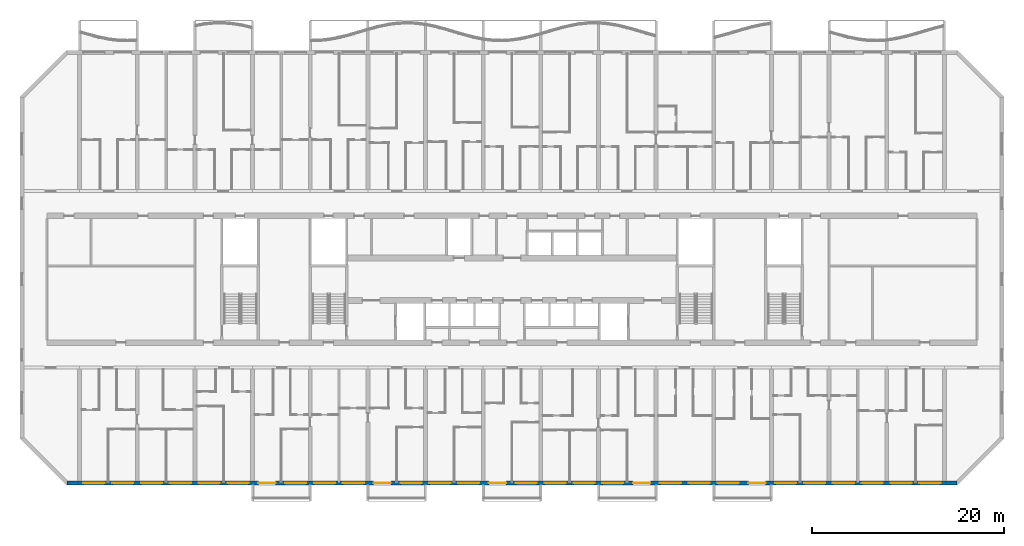
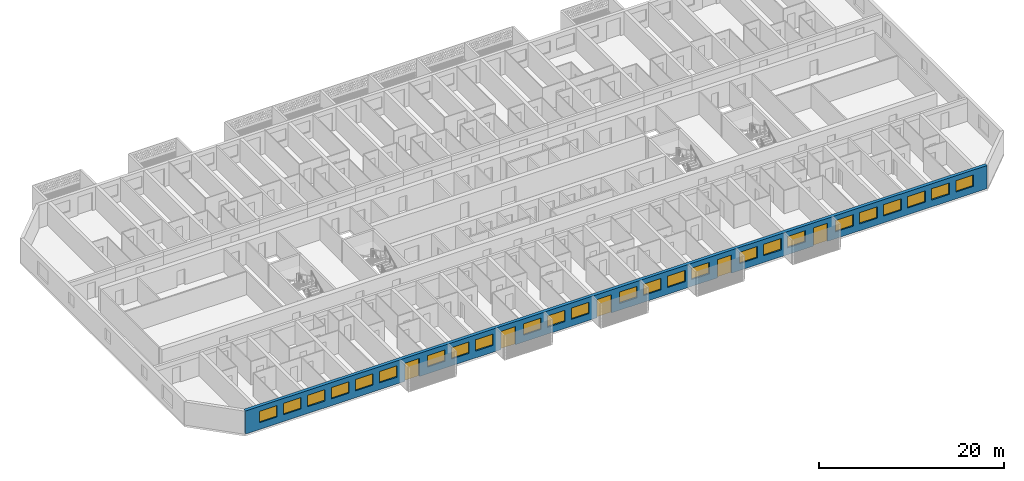
# One storey, part 6 of 44: 25 windows, 5 doors, 1 wall, 30 openings.
"""IFC4 building model written with IfcOpenShell, lengths in metres."""

from ifc_helpers import new_model, si_unit, direction, frame, frame_2d, origin, place, context, subcontext, project, spatial, rectangle, extrude, material, layer, layer_set, type_object, element, fill, save


model = new_model("IFC4")

# Units and contexts
model_context = context("Model", 3, precision=1e-05, world=origin(), true_north=direction((0.0, 1.0)))
body_context = subcontext(model_context, "Body", "Model", "MODEL_VIEW")
ifc_project = project(units=[si_unit("LENGTHUNIT", "METRE"), si_unit("AREAUNIT", "SQUARE_METRE"), si_unit("VOLUMEUNIT", "CUBIC_METRE"), si_unit("PLANEANGLEUNIT", "RADIAN"), si_unit("MASSUNIT", "GRAM", prefix="KILO")], contexts=[model_context])

# Site, building, storey
site_placement = place(None, origin())
site = spatial("IfcSite", under=ifc_project, at=site_placement, CompositionType="ELEMENT")
building_placement = place(site_placement, origin())
building = spatial("IfcBuilding", under=site, at=building_placement, Name="Poui Terraces", CompositionType="ELEMENT")
storey_placement = place(building_placement, frame((0.0, 0.0, 26.699951171875)))
storey = spatial("IfcBuildingStorey", under=building, at=storey_placement, Name="L06", CompositionType="ELEMENT", Elevation=26.699951171875)

# Wall, openings, doors, windows
ifc_material_1 = material(Name="Precast concrete 40 MPa", Category="concrete")
ifc_layer = layer(ifc_material_1, 0.39990234375)
ifc_layer_set = layer_set([ifc_layer], Name="Precast concrete 40 MPa")
wall_type = type_object("IfcWallType", Name="EXTERNAL WALL 400", PredefinedType="STANDARD", material=ifc_layer_set)
wall_placement = place(storey_placement, frame((4.682861328125, 0.0, 0.0), z_axis=(0.0, 0.0, 1.0), x_axis=(1.0, 0.0, 0.0)))
wall = element("IfcWall", 1, at=wall_placement, inside=storey, type_object=wall_type, Name="EXTERNAL WALL S", PredefinedType="STANDARD", context=body_context, shape_type="SweptSolid", body=[
    extrude(rectangle(XDim=92.63427734375, YDim=0.39990234375, at=frame_2d((46.317138671875, 0.0))), origin(), (0.0, 0.0, 1.0), 3.050048828125),
])
opening_1_placement = place(wall_placement, frame((1.71728515625, 0.0, 0.89990234375)))
opening_1 = element("IfcOpeningElement", 2, at=opening_1_placement, cuts=wall, Name="Opening W1", PredefinedType="OPENING", context=body_context, shape_type="SweptSolid", body=[
    extrude(rectangle(XDim=2.199951171875, YDim=1.5, at=frame_2d((1.10009765625, 0.75))), frame((0.0, 0.2099609375, 0.0), z_axis=(0.0, -1.0, 0.0), x_axis=(1.0, 0.0, 0.0)), (0.0, 0.0, 1.0), 0.419921875),
])
opening_2_placement = place(wall_placement, frame((4.71728515625, 0.0, 0.89990234375)))
opening_2 = element("IfcOpeningElement", 3, at=opening_2_placement, cuts=wall, Name="Opening W1", PredefinedType="OPENING", context=body_context, shape_type="SweptSolid", body=[
    extrude(rectangle(XDim=2.199951171875, YDim=1.5, at=frame_2d((1.10009765625, 0.75))), frame((0.0, 0.2099609375, 0.0), z_axis=(0.0, -1.0, 0.0), x_axis=(1.0, 0.0, 0.0)), (0.0, 0.0, 1.0), 0.419921875),
])
opening_3_placement = place(wall_placement, frame((7.71728515625, 0.0, 0.89990234375)))
opening_3 = element("IfcOpeningElement", 4, at=opening_3_placement, cuts=wall, Name="Opening W1", PredefinedType="OPENING", context=body_context, shape_type="SweptSolid", body=[
    extrude(rectangle(XDim=2.199951171875, YDim=1.5, at=frame_2d((1.10009765625, 0.75))), frame((0.0, 0.2099609375, 0.0), z_axis=(0.0, -1.0, 0.0), x_axis=(1.0, 0.0, 0.0)), (0.0, 0.0, 1.0), 0.419921875),
])
opening_4_placement = place(wall_placement, frame((10.71728515625, 0.0, 0.89990234375)))
opening_4 = element("IfcOpeningElement", 5, at=opening_4_placement, cuts=wall, Name="Opening W1", PredefinedType="OPENING", context=body_context, shape_type="SweptSolid", body=[
    extrude(rectangle(XDim=2.199951171875, YDim=1.5, at=frame_2d((1.10009765625, 0.75))), frame((0.0, 0.2099609375, 0.0), z_axis=(0.0, -1.0, 0.0), x_axis=(1.0, 0.0, 0.0)), (0.0, 0.0, 1.0), 0.419921875),
])
opening_5_placement = place(wall_placement, frame((13.71728515625, 0.0, 0.89990234375)))
opening_5 = element("IfcOpeningElement", 6, at=opening_5_placement, cuts=wall, Name="Opening W1", PredefinedType="OPENING", context=body_context, shape_type="SweptSolid", body=[
    extrude(rectangle(XDim=2.199951171875, YDim=1.5, at=frame_2d((1.10009765625, 0.75))), frame((0.0, 0.2099609375, 0.0), z_axis=(0.0, -1.0, 0.0), x_axis=(1.0, 0.0, 0.0)), (0.0, 0.0, 1.0), 0.419921875),
])
opening_6_placement = place(wall_placement, frame((16.71728515625, 0.0, 0.89990234375)))
opening_6 = element("IfcOpeningElement", 7, at=opening_6_placement, cuts=wall, Name="Opening W1", PredefinedType="OPENING", context=body_context, shape_type="SweptSolid", body=[
    extrude(rectangle(XDim=2.199951171875, YDim=1.5, at=frame_2d((1.10009765625, 0.75))), frame((0.0, 0.2099609375, 0.0), z_axis=(0.0, -1.0, 0.0), x_axis=(1.0, 0.0, 0.0)), (0.0, 0.0, 1.0), 0.419921875),
])
opening_7_placement = place(wall_placement, frame((19.917236328125, 0.0, 0.0)))
opening_7 = element("IfcOpeningElement", 8, at=opening_7_placement, cuts=wall, Name="Opening BD1", PredefinedType="OPENING", context=body_context, shape_type="SweptSolid", body=[
    extrude(rectangle(XDim=1.800048828125, YDim=2.39990234375, at=frame_2d((0.89990234375, 1.199951171875))), frame((0.0, 0.2099609375, 0.0), z_axis=(0.0, -1.0, 0.0), x_axis=(1.0, 0.0, 0.0)), (0.0, 0.0, 1.0), 0.419921875),
])
opening_8_placement = place(wall_placement, frame((22.71728515625, 0.0, 0.89990234375)))
opening_8 = element("IfcOpeningElement", 9, at=opening_8_placement, cuts=wall, Name="Opening W1", PredefinedType="OPENING", context=body_context, shape_type="SweptSolid", body=[
    extrude(rectangle(XDim=2.199951171875, YDim=1.5, at=frame_2d((1.10009765625, 0.75))), frame((0.0, 0.2099609375, 0.0), z_axis=(0.0, -1.0, 0.0), x_axis=(1.0, 0.0, 0.0)), (0.0, 0.0, 1.0), 0.419921875),
])
opening_9_placement = place(wall_placement, frame((25.71728515625, 0.0, 0.89990234375)))
opening_9 = element("IfcOpeningElement", 10, at=opening_9_placement, cuts=wall, Name="Opening W1", PredefinedType="OPENING", context=body_context, shape_type="SweptSolid", body=[
    extrude(rectangle(XDim=2.199951171875, YDim=1.5, at=frame_2d((1.10009765625, 0.75))), frame((0.0, 0.2099609375, 0.0), z_axis=(0.0, -1.0, 0.0), x_axis=(1.0, 0.0, 0.0)), (0.0, 0.0, 1.0), 0.419921875),
])
opening_10_placement = place(wall_placement, frame((28.71728515625, 0.0, 0.89990234375)))
opening_10 = element("IfcOpeningElement", 11, at=opening_10_placement, cuts=wall, Name="Opening W1", PredefinedType="OPENING", context=body_context, shape_type="SweptSolid", body=[
    extrude(rectangle(XDim=2.199951171875, YDim=1.5, at=frame_2d((1.10009765625, 0.75))), frame((0.0, 0.2099609375, 0.0), z_axis=(0.0, -1.0, 0.0), x_axis=(1.0, 0.0, 0.0)), (0.0, 0.0, 1.0), 0.419921875),
])
opening_11_placement = place(wall_placement, frame((31.917236328125, 0.0, 0.0)))
opening_11 = element("IfcOpeningElement", 12, at=opening_11_placement, cuts=wall, Name="Opening BD1", PredefinedType="OPENING", context=body_context, shape_type="SweptSolid", body=[
    extrude(rectangle(XDim=1.800048828125, YDim=2.39990234375, at=frame_2d((0.89990234375, 1.199951171875))), frame((0.0, 0.2099609375, 0.0), z_axis=(0.0, -1.0, 0.0), x_axis=(1.0, 0.0, 0.0)), (0.0, 0.0, 1.0), 0.419921875),
])
opening_12_placement = place(wall_placement, frame((34.71728515625, 0.0, 0.89990234375)))
opening_12 = element("IfcOpeningElement", 13, at=opening_12_placement, cuts=wall, Name="Opening W1", PredefinedType="OPENING", context=body_context, shape_type="SweptSolid", body=[
    extrude(rectangle(XDim=2.199951171875, YDim=1.5, at=frame_2d((1.10009765625, 0.75))), frame((0.0, 0.2099609375, 0.0), z_axis=(0.0, -1.0, 0.0), x_axis=(1.0, 0.0, 0.0)), (0.0, 0.0, 1.0), 0.419921875),
])
opening_13_placement = place(wall_placement, frame((37.71728515625, 0.0, 0.89990234375)))
opening_13 = element("IfcOpeningElement", 14, at=opening_13_placement, cuts=wall, Name="Opening W1", PredefinedType="OPENING", context=body_context, shape_type="SweptSolid", body=[
    extrude(rectangle(XDim=2.199951171875, YDim=1.5, at=frame_2d((1.10009765625, 0.75))), frame((0.0, 0.2099609375, 0.0), z_axis=(0.0, -1.0, 0.0), x_axis=(1.0, 0.0, 0.0)), (0.0, 0.0, 1.0), 0.419921875),
])
opening_14_placement = place(wall_placement, frame((40.71728515625, 0.0, 0.89990234375)))
opening_14 = element("IfcOpeningElement", 15, at=opening_14_placement, cuts=wall, Name="Opening W1", PredefinedType="OPENING", context=body_context, shape_type="SweptSolid", body=[
    extrude(rectangle(XDim=2.199951171875, YDim=1.5, at=frame_2d((1.10009765625, 0.75))), frame((0.0, 0.2099609375, 0.0), z_axis=(0.0, -1.0, 0.0), x_axis=(1.0, 0.0, 0.0)), (0.0, 0.0, 1.0), 0.419921875),
])
opening_15_placement = place(wall_placement, frame((43.917236328125, 0.0, 0.0)))
opening_15 = element("IfcOpeningElement", 16, at=opening_15_placement, cuts=wall, Name="Opening BD1", PredefinedType="OPENING", context=body_context, shape_type="SweptSolid", body=[
    extrude(rectangle(XDim=1.800048828125, YDim=2.39990234375, at=frame_2d((0.89990234375, 1.199951171875))), frame((0.0, 0.2099609375, 0.0), z_axis=(0.0, -1.0, 0.0), x_axis=(1.0, 0.0, 0.0)), (0.0, 0.0, 1.0), 0.419921875),
])
opening_16_placement = place(wall_placement, frame((46.71728515625, 0.0, 0.89990234375)))
opening_16 = element("IfcOpeningElement", 17, at=opening_16_placement, cuts=wall, Name="Opening W1", PredefinedType="OPENING", context=body_context, shape_type="SweptSolid", body=[
    extrude(rectangle(XDim=2.199951171875, YDim=1.5, at=frame_2d((1.10009765625, 0.75))), frame((0.0, 0.2099609375, 0.0), z_axis=(0.0, -1.0, 0.0), x_axis=(1.0, 0.0, 0.0)), (0.0, 0.0, 1.0), 0.419921875),
])
opening_17_placement = place(wall_placement, frame((49.71728515625, 0.0, 0.89990234375)))
opening_17 = element("IfcOpeningElement", 18, at=opening_17_placement, cuts=wall, Name="Opening W1", PredefinedType="OPENING", context=body_context, shape_type="SweptSolid", body=[
    extrude(rectangle(XDim=2.199951171875, YDim=1.5, at=frame_2d((1.10009765625, 0.75))), frame((0.0, 0.2099609375, 0.0), z_axis=(0.0, -1.0, 0.0), x_axis=(1.0, 0.0, 0.0)), (0.0, 0.0, 1.0), 0.419921875),
])
opening_18_placement = place(wall_placement, frame((52.71728515625, 0.0, 0.89990234375)))
opening_18 = element("IfcOpeningElement", 19, at=opening_18_placement, cuts=wall, Name="Opening W1", PredefinedType="OPENING", context=body_context, shape_type="SweptSolid", body=[
    extrude(rectangle(XDim=2.199951171875, YDim=1.5, at=frame_2d((1.10009765625, 0.75))), frame((0.0, 0.2099609375, 0.0), z_axis=(0.0, -1.0, 0.0), x_axis=(1.0, 0.0, 0.0)), (0.0, 0.0, 1.0), 0.419921875),
])
opening_19_placement = place(wall_placement, frame((55.71728515625, 0.0, 0.89990234375)))
opening_19 = element("IfcOpeningElement", 20, at=opening_19_placement, cuts=wall, Name="Opening W1", PredefinedType="OPENING", context=body_context, shape_type="SweptSolid", body=[
    extrude(rectangle(XDim=2.199951171875, YDim=1.5, at=frame_2d((1.10009765625, 0.75))), frame((0.0, 0.2099609375, 0.0), z_axis=(0.0, -1.0, 0.0), x_axis=(1.0, 0.0, 0.0)), (0.0, 0.0, 1.0), 0.419921875),
])
opening_20_placement = place(wall_placement, frame((58.917236328125, 0.0, 0.0)))
opening_20 = element("IfcOpeningElement", 21, at=opening_20_placement, cuts=wall, Name="Opening BD1", PredefinedType="OPENING", context=body_context, shape_type="SweptSolid", body=[
    extrude(rectangle(XDim=1.800048828125, YDim=2.39990234375, at=frame_2d((0.89990234375, 1.199951171875))), frame((0.0, 0.2099609375, 0.0), z_axis=(0.0, -1.0, 0.0), x_axis=(1.0, 0.0, 0.0)), (0.0, 0.0, 1.0), 0.419921875),
])
opening_21_placement = place(wall_placement, frame((61.71728515625, 0.0, 0.89990234375)))
opening_21 = element("IfcOpeningElement", 22, at=opening_21_placement, cuts=wall, Name="Opening W1", PredefinedType="OPENING", context=body_context, shape_type="SweptSolid", body=[
    extrude(rectangle(XDim=2.199951171875, YDim=1.5, at=frame_2d((1.10009765625, 0.75))), frame((0.0, 0.2099609375, 0.0), z_axis=(0.0, -1.0, 0.0), x_axis=(1.0, 0.0, 0.0)), (0.0, 0.0, 1.0), 0.419921875),
])
opening_22_placement = place(wall_placement, frame((64.71728515625, 0.0, 0.89990234375)))
opening_22 = element("IfcOpeningElement", 23, at=opening_22_placement, cuts=wall, Name="Opening W1", PredefinedType="OPENING", context=body_context, shape_type="SweptSolid", body=[
    extrude(rectangle(XDim=2.199951171875, YDim=1.5, at=frame_2d((1.10009765625, 0.75))), frame((0.0, 0.2099609375, 0.0), z_axis=(0.0, -1.0, 0.0), x_axis=(1.0, 0.0, 0.0)), (0.0, 0.0, 1.0), 0.419921875),
])
opening_23_placement = place(wall_placement, frame((67.71728515625, 0.0, 0.89990234375)))
opening_23 = element("IfcOpeningElement", 24, at=opening_23_placement, cuts=wall, Name="Opening W1", PredefinedType="OPENING", context=body_context, shape_type="SweptSolid", body=[
    extrude(rectangle(XDim=2.199951171875, YDim=1.5, at=frame_2d((1.10009765625, 0.75))), frame((0.0, 0.2099609375, 0.0), z_axis=(0.0, -1.0, 0.0), x_axis=(1.0, 0.0, 0.0)), (0.0, 0.0, 1.0), 0.419921875),
])
opening_24_placement = place(wall_placement, frame((70.917236328125, 0.0, 0.0)))
opening_24 = element("IfcOpeningElement", 25, at=opening_24_placement, cuts=wall, Name="Opening BD1", PredefinedType="OPENING", context=body_context, shape_type="SweptSolid", body=[
    extrude(rectangle(XDim=1.800048828125, YDim=2.39990234375, at=frame_2d((0.89990234375, 1.199951171875))), frame((0.0, 0.2099609375, 0.0), z_axis=(0.0, -1.0, 0.0), x_axis=(1.0, 0.0, 0.0)), (0.0, 0.0, 1.0), 0.419921875),
])
opening_25_placement = place(wall_placement, frame((73.71728515625, 0.0, 0.89990234375)))
opening_25 = element("IfcOpeningElement", 26, at=opening_25_placement, cuts=wall, Name="Opening W1", PredefinedType="OPENING", context=body_context, shape_type="SweptSolid", body=[
    extrude(rectangle(XDim=2.199951171875, YDim=1.5, at=frame_2d((1.10009765625, 0.75))), frame((0.0, 0.2099609375, 0.0), z_axis=(0.0, -1.0, 0.0), x_axis=(1.0, 0.0, 0.0)), (0.0, 0.0, 1.0), 0.419921875),
])
opening_26_placement = place(wall_placement, frame((76.71728515625, 0.0, 0.89990234375)))
opening_26 = element("IfcOpeningElement", 27, at=opening_26_placement, cuts=wall, Name="Opening W1", PredefinedType="OPENING", context=body_context, shape_type="SweptSolid", body=[
    extrude(rectangle(XDim=2.199951171875, YDim=1.5, at=frame_2d((1.10009765625, 0.75))), frame((0.0, 0.2099609375, 0.0), z_axis=(0.0, -1.0, 0.0), x_axis=(1.0, 0.0, 0.0)), (0.0, 0.0, 1.0), 0.419921875),
])
opening_27_placement = place(wall_placement, frame((79.71728515625, 0.0, 0.89990234375)))
opening_27 = element("IfcOpeningElement", 28, at=opening_27_placement, cuts=wall, Name="Opening W1", PredefinedType="OPENING", context=body_context, shape_type="SweptSolid", body=[
    extrude(rectangle(XDim=2.199951171875, YDim=1.5, at=frame_2d((1.10009765625, 0.75))), frame((0.0, 0.2099609375, 0.0), z_axis=(0.0, -1.0, 0.0), x_axis=(1.0, 0.0, 0.0)), (0.0, 0.0, 1.0), 0.419921875),
])
opening_28_placement = place(wall_placement, frame((82.71728515625, 0.0, 0.89990234375)))
opening_28 = element("IfcOpeningElement", 29, at=opening_28_placement, cuts=wall, Name="Opening W1", PredefinedType="OPENING", context=body_context, shape_type="SweptSolid", body=[
    extrude(rectangle(XDim=2.199951171875, YDim=1.5, at=frame_2d((1.10009765625, 0.75))), frame((0.0, 0.2099609375, 0.0), z_axis=(0.0, -1.0, 0.0), x_axis=(1.0, 0.0, 0.0)), (0.0, 0.0, 1.0), 0.419921875),
])
opening_29_placement = place(wall_placement, frame((85.71728515625, 0.0, 0.89990234375)))
opening_29 = element("IfcOpeningElement", 30, at=opening_29_placement, cuts=wall, Name="Opening W1", PredefinedType="OPENING", context=body_context, shape_type="SweptSolid", body=[
    extrude(rectangle(XDim=2.199951171875, YDim=1.5, at=frame_2d((1.10009765625, 0.75))), frame((0.0, 0.2099609375, 0.0), z_axis=(0.0, -1.0, 0.0), x_axis=(1.0, 0.0, 0.0)), (0.0, 0.0, 1.0), 0.419921875),
])
opening_30_placement = place(wall_placement, frame((88.71728515625, 0.0, 0.89990234375)))
opening_30 = element("IfcOpeningElement", 31, at=opening_30_placement, cuts=wall, Name="Opening W1", PredefinedType="OPENING", context=body_context, shape_type="SweptSolid", body=[
    extrude(rectangle(XDim=2.199951171875, YDim=1.5, at=frame_2d((1.10009765625, 0.75))), frame((0.0, 0.2099609375, 0.0), z_axis=(0.0, -1.0, 0.0), x_axis=(1.0, 0.0, 0.0)), (0.0, 0.0, 1.0), 0.419921875),
])
ifc_material_2 = material(Name="Clear glass in aluminium frame", Category="aluminium")
door_type = type_object("IfcDoorType", Name="BALCONY DOOR 1800X2400", OperationType="DOUBLE_DOOR_SLIDING", PredefinedType="DOOR", material=ifc_material_2)
door_1_placement = place(opening_7_placement, origin())
door_1 = element("IfcDoor", 32, at=door_1_placement, inside=storey, type_object=door_type, Name="BD1 BALCONY DOOR", OperationType="DOUBLE_DOOR_SLIDING", OverallHeight=2.39990234375, OverallWidth=1.800048828125, PredefinedType="DOOR", context=body_context, shape_type="SweptSolid", body=[
    extrude(rectangle(XDim=1.800048828125, YDim=2.39990234375, at=frame_2d((0.89990234375, 1.199951171875))), frame((0.0, 0.02490234375, 0.0), z_axis=(0.0, -1.0, 0.0), x_axis=(1.0, 0.0, 0.0)), (0.0, 0.0, 1.0), 0.050048828125),
])
fill(opening_7, door_1)
door_2_placement = place(opening_11_placement, origin())
door_2 = element("IfcDoor", 33, at=door_2_placement, inside=storey, type_object=door_type, Name="BD1 BALCONY DOOR", OperationType="DOUBLE_DOOR_SLIDING", OverallHeight=2.39990234375, OverallWidth=1.800048828125, PredefinedType="DOOR", context=body_context, shape_type="SweptSolid", body=[
    extrude(rectangle(XDim=1.800048828125, YDim=2.39990234375, at=frame_2d((0.89990234375, 1.199951171875))), frame((0.0, 0.02490234375, 0.0), z_axis=(0.0, -1.0, 0.0), x_axis=(1.0, 0.0, 0.0)), (0.0, 0.0, 1.0), 0.050048828125),
])
fill(opening_11, door_2)
door_3_placement = place(opening_15_placement, origin())
door_3 = element("IfcDoor", 34, at=door_3_placement, inside=storey, type_object=door_type, Name="BD1 BALCONY DOOR", OperationType="DOUBLE_DOOR_SLIDING", OverallHeight=2.39990234375, OverallWidth=1.800048828125, PredefinedType="DOOR", context=body_context, shape_type="SweptSolid", body=[
    extrude(rectangle(XDim=1.800048828125, YDim=2.39990234375, at=frame_2d((0.89990234375, 1.199951171875))), frame((0.0, 0.02490234375, 0.0), z_axis=(0.0, -1.0, 0.0), x_axis=(1.0, 0.0, 0.0)), (0.0, 0.0, 1.0), 0.050048828125),
])
fill(opening_15, door_3)
door_4_placement = place(opening_20_placement, origin())
door_4 = element("IfcDoor", 35, at=door_4_placement, inside=storey, type_object=door_type, Name="BD1 BALCONY DOOR", OperationType="DOUBLE_DOOR_SLIDING", OverallHeight=2.39990234375, OverallWidth=1.800048828125, PredefinedType="DOOR", context=body_context, shape_type="SweptSolid", body=[
    extrude(rectangle(XDim=1.800048828125, YDim=2.39990234375, at=frame_2d((0.89990234375, 1.199951171875))), frame((0.0, 0.02490234375, 0.0), z_axis=(0.0, -1.0, 0.0), x_axis=(1.0, 0.0, 0.0)), (0.0, 0.0, 1.0), 0.050048828125),
])
fill(opening_20, door_4)
door_5_placement = place(opening_24_placement, origin())
door_5 = element("IfcDoor", 36, at=door_5_placement, inside=storey, type_object=door_type, Name="BD1 BALCONY DOOR", OperationType="DOUBLE_DOOR_SLIDING", OverallHeight=2.39990234375, OverallWidth=1.800048828125, PredefinedType="DOOR", context=body_context, shape_type="SweptSolid", body=[
    extrude(rectangle(XDim=1.800048828125, YDim=2.39990234375, at=frame_2d((0.89990234375, 1.199951171875))), frame((0.0, 0.02490234375, 0.0), z_axis=(0.0, -1.0, 0.0), x_axis=(1.0, 0.0, 0.0)), (0.0, 0.0, 1.0), 0.050048828125),
])
fill(opening_24, door_5)
window_type = type_object("IfcWindowType", Name="WINDOW 2200X1500", PartitioningType="DOUBLE_PANEL_HORIZONTAL", PredefinedType="WINDOW", material=ifc_material_2)
window_1_placement = place(opening_1_placement, origin())
window_1 = element("IfcWindow", 37, at=window_1_placement, inside=storey, type_object=window_type, Name="W1 WINDOW", OverallHeight=1.5, OverallWidth=2.199951171875, PartitioningType="DOUBLE_PANEL_HORIZONTAL", PredefinedType="WINDOW", context=body_context, shape_type="SweptSolid", body=[
    extrude(rectangle(XDim=2.199951171875, YDim=1.5, at=frame_2d((1.10009765625, 0.75))), frame((0.0, 0.030029296875, 0.0), z_axis=(0.0, -1.0, 0.0), x_axis=(1.0, 0.0, 0.0)), (0.0, 0.0, 1.0), 0.06005859375),
])
fill(opening_1, window_1)
window_2_placement = place(opening_2_placement, origin())
window_2 = element("IfcWindow", 38, at=window_2_placement, inside=storey, type_object=window_type, Name="W1 WINDOW", OverallHeight=1.5, OverallWidth=2.199951171875, PartitioningType="DOUBLE_PANEL_HORIZONTAL", PredefinedType="WINDOW", context=body_context, shape_type="SweptSolid", body=[
    extrude(rectangle(XDim=2.199951171875, YDim=1.5, at=frame_2d((1.10009765625, 0.75))), frame((0.0, 0.030029296875, 0.0), z_axis=(0.0, -1.0, 0.0), x_axis=(1.0, 0.0, 0.0)), (0.0, 0.0, 1.0), 0.06005859375),
])
fill(opening_2, window_2)
window_3_placement = place(opening_3_placement, origin())
window_3 = element("IfcWindow", 39, at=window_3_placement, inside=storey, type_object=window_type, Name="W1 WINDOW", OverallHeight=1.5, OverallWidth=2.199951171875, PartitioningType="DOUBLE_PANEL_HORIZONTAL", PredefinedType="WINDOW", context=body_context, shape_type="SweptSolid", body=[
    extrude(rectangle(XDim=2.199951171875, YDim=1.5, at=frame_2d((1.10009765625, 0.75))), frame((0.0, 0.030029296875, 0.0), z_axis=(0.0, -1.0, 0.0), x_axis=(1.0, 0.0, 0.0)), (0.0, 0.0, 1.0), 0.06005859375),
])
fill(opening_3, window_3)
window_4_placement = place(opening_4_placement, origin())
window_4 = element("IfcWindow", 40, at=window_4_placement, inside=storey, type_object=window_type, Name="W1 WINDOW", OverallHeight=1.5, OverallWidth=2.199951171875, PartitioningType="DOUBLE_PANEL_HORIZONTAL", PredefinedType="WINDOW", context=body_context, shape_type="SweptSolid", body=[
    extrude(rectangle(XDim=2.199951171875, YDim=1.5, at=frame_2d((1.10009765625, 0.75))), frame((0.0, 0.030029296875, 0.0), z_axis=(0.0, -1.0, 0.0), x_axis=(1.0, 0.0, 0.0)), (0.0, 0.0, 1.0), 0.06005859375),
])
fill(opening_4, window_4)
window_5_placement = place(opening_5_placement, origin())
window_5 = element("IfcWindow", 41, at=window_5_placement, inside=storey, type_object=window_type, Name="W1 WINDOW", OverallHeight=1.5, OverallWidth=2.199951171875, PartitioningType="DOUBLE_PANEL_HORIZONTAL", PredefinedType="WINDOW", context=body_context, shape_type="SweptSolid", body=[
    extrude(rectangle(XDim=2.199951171875, YDim=1.5, at=frame_2d((1.10009765625, 0.75))), frame((0.0, 0.030029296875, 0.0), z_axis=(0.0, -1.0, 0.0), x_axis=(1.0, 0.0, 0.0)), (0.0, 0.0, 1.0), 0.06005859375),
])
fill(opening_5, window_5)
window_6_placement = place(opening_6_placement, origin())
window_6 = element("IfcWindow", 42, at=window_6_placement, inside=storey, type_object=window_type, Name="W1 WINDOW", OverallHeight=1.5, OverallWidth=2.199951171875, PartitioningType="DOUBLE_PANEL_HORIZONTAL", PredefinedType="WINDOW", context=body_context, shape_type="SweptSolid", body=[
    extrude(rectangle(XDim=2.199951171875, YDim=1.5, at=frame_2d((1.10009765625, 0.75))), frame((0.0, 0.030029296875, 0.0), z_axis=(0.0, -1.0, 0.0), x_axis=(1.0, 0.0, 0.0)), (0.0, 0.0, 1.0), 0.06005859375),
])
fill(opening_6, window_6)
window_7_placement = place(opening_8_placement, origin())
window_7 = element("IfcWindow", 43, at=window_7_placement, inside=storey, type_object=window_type, Name="W1 WINDOW", OverallHeight=1.5, OverallWidth=2.199951171875, PartitioningType="DOUBLE_PANEL_HORIZONTAL", PredefinedType="WINDOW", context=body_context, shape_type="SweptSolid", body=[
    extrude(rectangle(XDim=2.199951171875, YDim=1.5, at=frame_2d((1.10009765625, 0.75))), frame((0.0, 0.030029296875, 0.0), z_axis=(0.0, -1.0, 0.0), x_axis=(1.0, 0.0, 0.0)), (0.0, 0.0, 1.0), 0.06005859375),
])
fill(opening_8, window_7)
window_8_placement = place(opening_9_placement, origin())
window_8 = element("IfcWindow", 44, at=window_8_placement, inside=storey, type_object=window_type, Name="W1 WINDOW", OverallHeight=1.5, OverallWidth=2.199951171875, PartitioningType="DOUBLE_PANEL_HORIZONTAL", PredefinedType="WINDOW", context=body_context, shape_type="SweptSolid", body=[
    extrude(rectangle(XDim=2.199951171875, YDim=1.5, at=frame_2d((1.10009765625, 0.75))), frame((0.0, 0.030029296875, 0.0), z_axis=(0.0, -1.0, 0.0), x_axis=(1.0, 0.0, 0.0)), (0.0, 0.0, 1.0), 0.06005859375),
])
fill(opening_9, window_8)
window_9_placement = place(opening_10_placement, origin())
window_9 = element("IfcWindow", 45, at=window_9_placement, inside=storey, type_object=window_type, Name="W1 WINDOW", OverallHeight=1.5, OverallWidth=2.199951171875, PartitioningType="DOUBLE_PANEL_HORIZONTAL", PredefinedType="WINDOW", context=body_context, shape_type="SweptSolid", body=[
    extrude(rectangle(XDim=2.199951171875, YDim=1.5, at=frame_2d((1.10009765625, 0.75))), frame((0.0, 0.030029296875, 0.0), z_axis=(0.0, -1.0, 0.0), x_axis=(1.0, 0.0, 0.0)), (0.0, 0.0, 1.0), 0.06005859375),
])
fill(opening_10, window_9)
window_10_placement = place(opening_12_placement, origin())
window_10 = element("IfcWindow", 46, at=window_10_placement, inside=storey, type_object=window_type, Name="W1 WINDOW", OverallHeight=1.5, OverallWidth=2.199951171875, PartitioningType="DOUBLE_PANEL_HORIZONTAL", PredefinedType="WINDOW", context=body_context, shape_type="SweptSolid", body=[
    extrude(rectangle(XDim=2.199951171875, YDim=1.5, at=frame_2d((1.10009765625, 0.75))), frame((0.0, 0.030029296875, 0.0), z_axis=(0.0, -1.0, 0.0), x_axis=(1.0, 0.0, 0.0)), (0.0, 0.0, 1.0), 0.06005859375),
])
fill(opening_12, window_10)
window_11_placement = place(opening_13_placement, origin())
window_11 = element("IfcWindow", 47, at=window_11_placement, inside=storey, type_object=window_type, Name="W1 WINDOW", OverallHeight=1.5, OverallWidth=2.199951171875, PartitioningType="DOUBLE_PANEL_HORIZONTAL", PredefinedType="WINDOW", context=body_context, shape_type="SweptSolid", body=[
    extrude(rectangle(XDim=2.199951171875, YDim=1.5, at=frame_2d((1.10009765625, 0.75))), frame((0.0, 0.030029296875, 0.0), z_axis=(0.0, -1.0, 0.0), x_axis=(1.0, 0.0, 0.0)), (0.0, 0.0, 1.0), 0.06005859375),
])
fill(opening_13, window_11)
window_12_placement = place(opening_14_placement, origin())
window_12 = element("IfcWindow", 48, at=window_12_placement, inside=storey, type_object=window_type, Name="W1 WINDOW", OverallHeight=1.5, OverallWidth=2.199951171875, PartitioningType="DOUBLE_PANEL_HORIZONTAL", PredefinedType="WINDOW", context=body_context, shape_type="SweptSolid", body=[
    extrude(rectangle(XDim=2.199951171875, YDim=1.5, at=frame_2d((1.10009765625, 0.75))), frame((0.0, 0.030029296875, 0.0), z_axis=(0.0, -1.0, 0.0), x_axis=(1.0, 0.0, 0.0)), (0.0, 0.0, 1.0), 0.06005859375),
])
fill(opening_14, window_12)
window_13_placement = place(opening_16_placement, origin())
window_13 = element("IfcWindow", 49, at=window_13_placement, inside=storey, type_object=window_type, Name="W1 WINDOW", OverallHeight=1.5, OverallWidth=2.199951171875, PartitioningType="DOUBLE_PANEL_HORIZONTAL", PredefinedType="WINDOW", context=body_context, shape_type="SweptSolid", body=[
    extrude(rectangle(XDim=2.199951171875, YDim=1.5, at=frame_2d((1.10009765625, 0.75))), frame((0.0, 0.030029296875, 0.0), z_axis=(0.0, -1.0, 0.0), x_axis=(1.0, 0.0, 0.0)), (0.0, 0.0, 1.0), 0.06005859375),
])
fill(opening_16, window_13)
window_14_placement = place(opening_17_placement, origin())
window_14 = element("IfcWindow", 50, at=window_14_placement, inside=storey, type_object=window_type, Name="W1 WINDOW", OverallHeight=1.5, OverallWidth=2.199951171875, PartitioningType="DOUBLE_PANEL_HORIZONTAL", PredefinedType="WINDOW", context=body_context, shape_type="SweptSolid", body=[
    extrude(rectangle(XDim=2.199951171875, YDim=1.5, at=frame_2d((1.10009765625, 0.75))), frame((0.0, 0.030029296875, 0.0), z_axis=(0.0, -1.0, 0.0), x_axis=(1.0, 0.0, 0.0)), (0.0, 0.0, 1.0), 0.06005859375),
])
fill(opening_17, window_14)
window_15_placement = place(opening_18_placement, origin())
window_15 = element("IfcWindow", 51, at=window_15_placement, inside=storey, type_object=window_type, Name="W1 WINDOW", OverallHeight=1.5, OverallWidth=2.199951171875, PartitioningType="DOUBLE_PANEL_HORIZONTAL", PredefinedType="WINDOW", context=body_context, shape_type="SweptSolid", body=[
    extrude(rectangle(XDim=2.199951171875, YDim=1.5, at=frame_2d((1.10009765625, 0.75))), frame((0.0, 0.030029296875, 0.0), z_axis=(0.0, -1.0, 0.0), x_axis=(1.0, 0.0, 0.0)), (0.0, 0.0, 1.0), 0.06005859375),
])
fill(opening_18, window_15)
window_16_placement = place(opening_19_placement, origin())
window_16 = element("IfcWindow", 52, at=window_16_placement, inside=storey, type_object=window_type, Name="W1 WINDOW", OverallHeight=1.5, OverallWidth=2.199951171875, PartitioningType="DOUBLE_PANEL_HORIZONTAL", PredefinedType="WINDOW", context=body_context, shape_type="SweptSolid", body=[
    extrude(rectangle(XDim=2.199951171875, YDim=1.5, at=frame_2d((1.10009765625, 0.75))), frame((0.0, 0.030029296875, 0.0), z_axis=(0.0, -1.0, 0.0), x_axis=(1.0, 0.0, 0.0)), (0.0, 0.0, 1.0), 0.06005859375),
])
fill(opening_19, window_16)
window_17_placement = place(opening_21_placement, origin())
window_17 = element("IfcWindow", 53, at=window_17_placement, inside=storey, type_object=window_type, Name="W1 WINDOW", OverallHeight=1.5, OverallWidth=2.199951171875, PartitioningType="DOUBLE_PANEL_HORIZONTAL", PredefinedType="WINDOW", context=body_context, shape_type="SweptSolid", body=[
    extrude(rectangle(XDim=2.199951171875, YDim=1.5, at=frame_2d((1.10009765625, 0.75))), frame((0.0, 0.030029296875, 0.0), z_axis=(0.0, -1.0, 0.0), x_axis=(1.0, 0.0, 0.0)), (0.0, 0.0, 1.0), 0.06005859375),
])
fill(opening_21, window_17)
window_18_placement = place(opening_22_placement, origin())
window_18 = element("IfcWindow", 54, at=window_18_placement, inside=storey, type_object=window_type, Name="W1 WINDOW", OverallHeight=1.5, OverallWidth=2.199951171875, PartitioningType="DOUBLE_PANEL_HORIZONTAL", PredefinedType="WINDOW", context=body_context, shape_type="SweptSolid", body=[
    extrude(rectangle(XDim=2.199951171875, YDim=1.5, at=frame_2d((1.10009765625, 0.75))), frame((0.0, 0.030029296875, 0.0), z_axis=(0.0, -1.0, 0.0), x_axis=(1.0, 0.0, 0.0)), (0.0, 0.0, 1.0), 0.06005859375),
])
fill(opening_22, window_18)
window_19_placement = place(opening_23_placement, origin())
window_19 = element("IfcWindow", 55, at=window_19_placement, inside=storey, type_object=window_type, Name="W1 WINDOW", OverallHeight=1.5, OverallWidth=2.199951171875, PartitioningType="DOUBLE_PANEL_HORIZONTAL", PredefinedType="WINDOW", context=body_context, shape_type="SweptSolid", body=[
    extrude(rectangle(XDim=2.199951171875, YDim=1.5, at=frame_2d((1.10009765625, 0.75))), frame((0.0, 0.030029296875, 0.0), z_axis=(0.0, -1.0, 0.0), x_axis=(1.0, 0.0, 0.0)), (0.0, 0.0, 1.0), 0.06005859375),
])
fill(opening_23, window_19)
window_20_placement = place(opening_25_placement, origin())
window_20 = element("IfcWindow", 56, at=window_20_placement, inside=storey, type_object=window_type, Name="W1 WINDOW", OverallHeight=1.5, OverallWidth=2.199951171875, PartitioningType="DOUBLE_PANEL_HORIZONTAL", PredefinedType="WINDOW", context=body_context, shape_type="SweptSolid", body=[
    extrude(rectangle(XDim=2.199951171875, YDim=1.5, at=frame_2d((1.10009765625, 0.75))), frame((0.0, 0.030029296875, 0.0), z_axis=(0.0, -1.0, 0.0), x_axis=(1.0, 0.0, 0.0)), (0.0, 0.0, 1.0), 0.06005859375),
])
fill(opening_25, window_20)
window_21_placement = place(opening_26_placement, origin())
window_21 = element("IfcWindow", 57, at=window_21_placement, inside=storey, type_object=window_type, Name="W1 WINDOW", OverallHeight=1.5, OverallWidth=2.199951171875, PartitioningType="DOUBLE_PANEL_HORIZONTAL", PredefinedType="WINDOW", context=body_context, shape_type="SweptSolid", body=[
    extrude(rectangle(XDim=2.199951171875, YDim=1.5, at=frame_2d((1.10009765625, 0.75))), frame((0.0, 0.030029296875, 0.0), z_axis=(0.0, -1.0, 0.0), x_axis=(1.0, 0.0, 0.0)), (0.0, 0.0, 1.0), 0.06005859375),
])
fill(opening_26, window_21)
window_22_placement = place(opening_27_placement, origin())
window_22 = element("IfcWindow", 58, at=window_22_placement, inside=storey, type_object=window_type, Name="W1 WINDOW", OverallHeight=1.5, OverallWidth=2.199951171875, PartitioningType="DOUBLE_PANEL_HORIZONTAL", PredefinedType="WINDOW", context=body_context, shape_type="SweptSolid", body=[
    extrude(rectangle(XDim=2.199951171875, YDim=1.5, at=frame_2d((1.10009765625, 0.75))), frame((0.0, 0.030029296875, 0.0), z_axis=(0.0, -1.0, 0.0), x_axis=(1.0, 0.0, 0.0)), (0.0, 0.0, 1.0), 0.06005859375),
])
fill(opening_27, window_22)
window_23_placement = place(opening_28_placement, origin())
window_23 = element("IfcWindow", 59, at=window_23_placement, inside=storey, type_object=window_type, Name="W1 WINDOW", OverallHeight=1.5, OverallWidth=2.199951171875, PartitioningType="DOUBLE_PANEL_HORIZONTAL", PredefinedType="WINDOW", context=body_context, shape_type="SweptSolid", body=[
    extrude(rectangle(XDim=2.199951171875, YDim=1.5, at=frame_2d((1.10009765625, 0.75))), frame((0.0, 0.030029296875, 0.0), z_axis=(0.0, -1.0, 0.0), x_axis=(1.0, 0.0, 0.0)), (0.0, 0.0, 1.0), 0.06005859375),
])
fill(opening_28, window_23)
window_24_placement = place(opening_29_placement, origin())
window_24 = element("IfcWindow", 60, at=window_24_placement, inside=storey, type_object=window_type, Name="W1 WINDOW", OverallHeight=1.5, OverallWidth=2.199951171875, PartitioningType="DOUBLE_PANEL_HORIZONTAL", PredefinedType="WINDOW", context=body_context, shape_type="SweptSolid", body=[
    extrude(rectangle(XDim=2.199951171875, YDim=1.5, at=frame_2d((1.10009765625, 0.75))), frame((0.0, 0.030029296875, 0.0), z_axis=(0.0, -1.0, 0.0), x_axis=(1.0, 0.0, 0.0)), (0.0, 0.0, 1.0), 0.06005859375),
])
fill(opening_29, window_24)
window_25_placement = place(opening_30_placement, origin())
window_25 = element("IfcWindow", 61, at=window_25_placement, inside=storey, type_object=window_type, Name="W1 WINDOW", OverallHeight=1.5, OverallWidth=2.199951171875, PartitioningType="DOUBLE_PANEL_HORIZONTAL", PredefinedType="WINDOW", context=body_context, shape_type="SweptSolid", body=[
    extrude(rectangle(XDim=2.199951171875, YDim=1.5, at=frame_2d((1.10009765625, 0.75))), frame((0.0, 0.030029296875, 0.0), z_axis=(0.0, -1.0, 0.0), x_axis=(1.0, 0.0, 0.0)), (0.0, 0.0, 1.0), 0.06005859375),
])
fill(opening_30, window_25)

save(model, "model.ifc")
